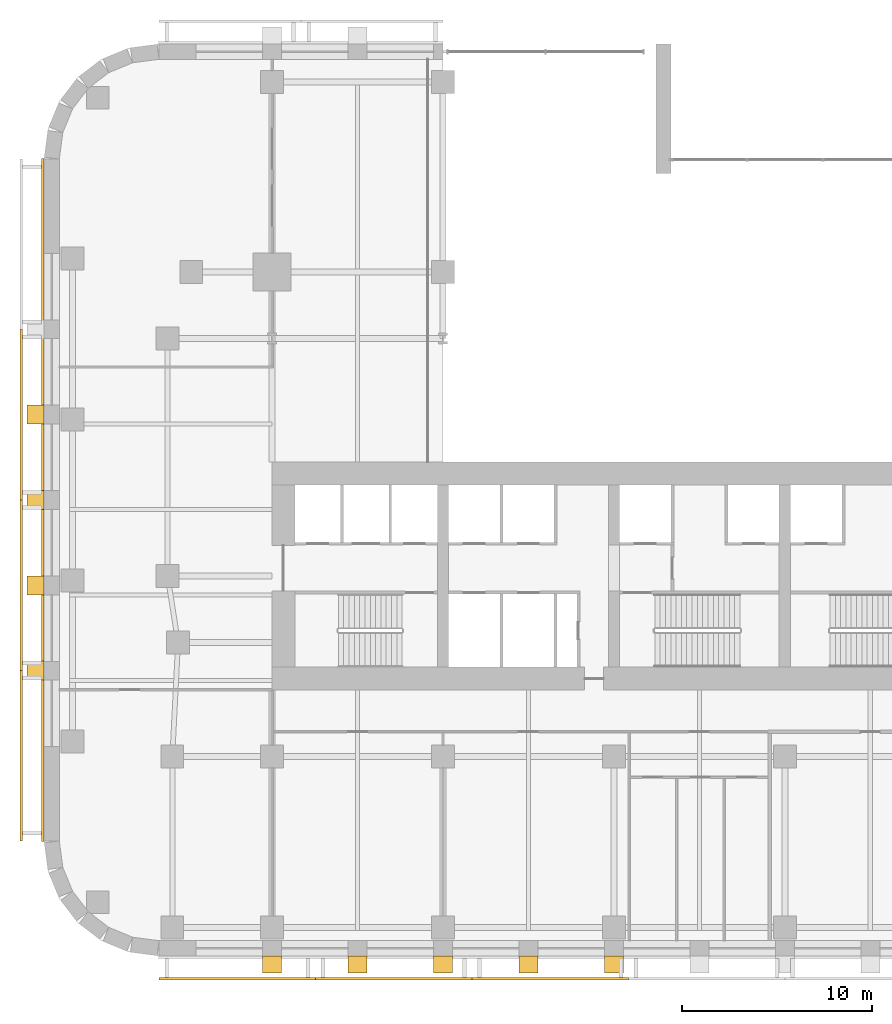
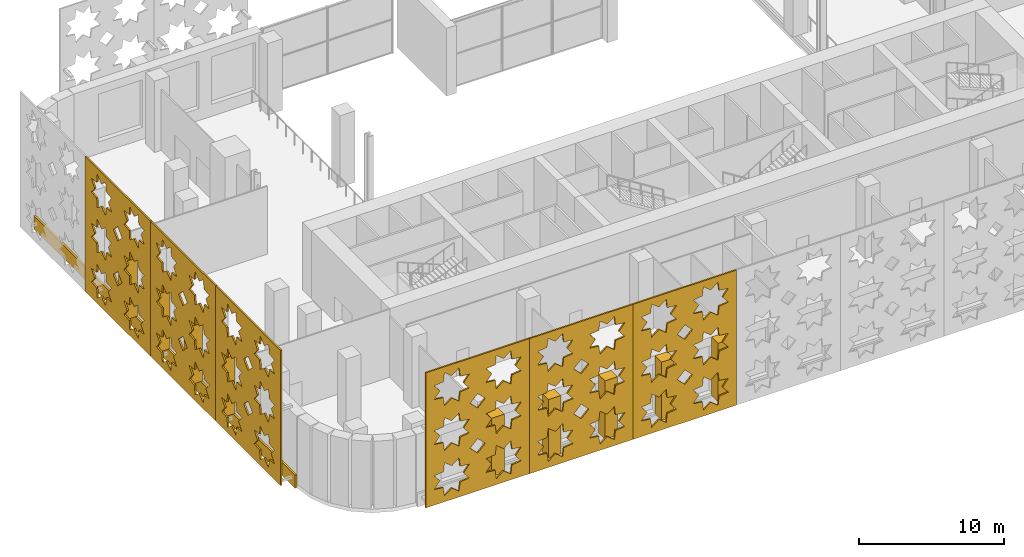
# One storey, part 11 of 17: 16 coverings.
"""IFC4 building model written with IfcOpenShell, lengths in metres."""

from ifc_helpers import new_model, si_unit, direction, frame, origin, place, context, subcontext, project, spatial, polyline, outline, extrude, material, layer, layer_set, type_object, element, save


model = new_model("IFC4")

# Units and contexts
model_context = context("Model", 3, precision=1e-05, world=origin(), true_north=direction((0.0, 1.0)))
body_context = subcontext(model_context, "Body", "Model", "MODEL_VIEW")
ifc_project = project(units=[si_unit("LENGTHUNIT", "METRE"), si_unit("AREAUNIT", "SQUARE_METRE"), si_unit("VOLUMEUNIT", "CUBIC_METRE"), si_unit("PLANEANGLEUNIT", "RADIAN"), si_unit("MASSUNIT", "GRAM", prefix="KILO")], contexts=[model_context])

# Site, building, storey
site_placement = place(None, origin())
site = spatial("IfcSite", under=ifc_project, at=site_placement, CompositionType="ELEMENT")
building_placement = place(site_placement, origin())
building = spatial("IfcBuilding", under=site, at=building_placement, Name="Zellij Exchange Tower", CompositionType="ELEMENT")
storey_placement = place(building_placement, frame((0.0, 0.0, 9.0)))
storey = spatial("IfcBuildingStorey", under=building, at=storey_placement, Name="L01", CompositionType="ELEMENT", Elevation=9.0)

# Coverings
ifc_material_1 = material(Name="Limestone cladding", Category="masonry")
ifc_layer_1 = layer(ifc_material_1, 0.14990234375)
ifc_layer_set_1 = layer_set([ifc_layer_1], Name="Limestone cladding")
covering_type_1 = type_object("IfcCoveringType", Name="ENV-CV1 Stone spandrel band 150", PredefinedType="CLADDING", material=ifc_layer_set_1)
covering_1_placement = place(storey_placement, frame((0.0, 0.0, -0.300048828125)))
element("IfcCovering", 1, at=covering_1_placement, inside=storey, type_object=covering_type_1, Name="Stone spandrel band", PredefinedType="CLADDING", context=body_context, shape_type="SweptSolid", body=[
    extrude(outline(polyline([(-39.0, 13.973876953125), (-39.0, -21.973876953125), (-39.14990234375, -21.983642578125), (-39.14990234375, 13.983642578125), (-39.0, 13.973876953125)])), origin(), (0.0, 0.0, 1.0), 1.10009765625),
])
covering_type_2 = type_object("IfcCoveringType", Name="ENV-CV2 Stone pier 1000x900", PredefinedType="CLADDING", material=ifc_material_1)
covering_2_placement = place(storey_placement, frame((0.0, 0.0, 0.800048828125)))
element("IfcCovering", 2, at=covering_2_placement, inside=storey, type_object=covering_type_2, Name="Stone pier", PredefinedType="CLADDING", context=body_context, shape_type="SweptSolid", body=[
    extrude(outline(polyline([(-27.5, -28.0), (-26.5, -28.0), (-26.5, -28.89990234375), (-27.5, -28.89990234375), (-27.5, -28.0)])), origin(), (0.0, 0.0, 1.0), 4.89990234375),
])
covering_3_placement = place(storey_placement, frame((0.0, 0.0, 0.800048828125)))
element("IfcCovering", 3, at=covering_3_placement, inside=storey, type_object=covering_type_2, Name="Stone pier", PredefinedType="CLADDING", context=body_context, shape_type="SweptSolid", body=[
    extrude(outline(polyline([(-23.0, -28.0), (-22.0, -28.0), (-22.0, -28.89990234375), (-23.0, -28.89990234375), (-23.0, -28.0)])), origin(), (0.0, 0.0, 1.0), 4.89990234375),
])
covering_4_placement = place(storey_placement, frame((0.0, 0.0, 0.800048828125)))
element("IfcCovering", 4, at=covering_4_placement, inside=storey, type_object=covering_type_2, Name="Stone pier", PredefinedType="CLADDING", context=body_context, shape_type="SweptSolid", body=[
    extrude(outline(polyline([(-18.5, -28.0), (-17.5, -28.0), (-17.5, -28.89990234375), (-18.5, -28.89990234375), (-18.5, -28.0)])), origin(), (0.0, 0.0, 1.0), 4.89990234375),
])
covering_5_placement = place(storey_placement, frame((0.0, 0.0, 0.800048828125)))
element("IfcCovering", 5, at=covering_5_placement, inside=storey, type_object=covering_type_2, Name="Stone pier", PredefinedType="CLADDING", context=body_context, shape_type="SweptSolid", body=[
    extrude(outline(polyline([(-14.0, -28.0), (-13.0, -28.0), (-13.0, -28.89990234375), (-14.0, -28.89990234375), (-14.0, -28.0)])), origin(), (0.0, 0.0, 1.0), 4.89990234375),
])
covering_6_placement = place(storey_placement, frame((0.0, 0.0, 0.800048828125)))
element("IfcCovering", 6, at=covering_6_placement, inside=storey, type_object=covering_type_2, Name="Stone pier", PredefinedType="CLADDING", context=body_context, shape_type="SweptSolid", body=[
    extrude(outline(polyline([(-9.5, -28.0), (-8.5, -28.0), (-8.5, -28.89990234375), (-9.5, -28.89990234375), (-9.5, -28.0)])), origin(), (0.0, 0.0, 1.0), 4.89990234375),
])
covering_7_placement = place(storey_placement, frame((0.0, 0.0, 0.800048828125)))
element("IfcCovering", 7, at=covering_7_placement, inside=storey, type_object=covering_type_2, Name="Stone pier", PredefinedType="CLADDING", context=body_context, shape_type="SweptSolid", body=[
    extrude(outline(polyline([(-39.0, 0.993408203125), (-39.0, -0.006591796875), (-39.89990234375, -0.006591796875), (-39.89990234375, 0.993408203125), (-39.0, 0.993408203125)])), origin(), (0.0, 0.0, 1.0), 4.89990234375),
])
covering_8_placement = place(storey_placement, frame((0.0, 0.0, 0.800048828125)))
element("IfcCovering", 8, at=covering_8_placement, inside=storey, type_object=covering_type_2, Name="Stone pier", PredefinedType="CLADDING", context=body_context, shape_type="SweptSolid", body=[
    extrude(outline(polyline([(-39.0, -3.5), (-39.0, -4.5), (-39.89990234375, -4.5), (-39.89990234375, -3.5), (-39.0, -3.5)])), origin(), (0.0, 0.0, 1.0), 4.89990234375),
])
covering_9_placement = place(storey_placement, frame((0.0, 0.0, 0.800048828125)))
element("IfcCovering", 9, at=covering_9_placement, inside=storey, type_object=covering_type_2, Name="Stone pier", PredefinedType="CLADDING", context=body_context, shape_type="SweptSolid", body=[
    extrude(outline(polyline([(-39.0, -7.993408203125), (-39.0, -8.993408203125), (-39.89990234375, -8.993408203125), (-39.89990234375, -7.993408203125), (-39.0, -7.993408203125)])), origin(), (0.0, 0.0, 1.0), 4.89990234375),
])
covering_10_placement = place(storey_placement, frame((0.0, 0.0, 0.800048828125)))
element("IfcCovering", 10, at=covering_10_placement, inside=storey, type_object=covering_type_2, Name="Stone pier", PredefinedType="CLADDING", context=body_context, shape_type="SweptSolid", body=[
    extrude(outline(polyline([(-39.0, -12.48681640625), (-39.0, -13.48681640625), (-39.89990234375, -13.48681640625), (-39.89990234375, -12.48681640625), (-39.0, -12.48681640625)])), origin(), (0.0, 0.0, 1.0), 4.89990234375),
])
ifc_material_2 = material(Name="Limestone screen", Category="masonry")
ifc_layer_2 = layer(ifc_material_2, 0.1201171875)
ifc_layer_set_2 = layer_set([ifc_layer_2], Name="Limestone screen")
covering_type_3 = type_object("IfcCoveringType", Name="ENV-SC1 Pierced stone screen 120", PredefinedType="USERDEFINED", material=ifc_layer_set_2)
covering_11_placement = place(storey_placement, frame((-40.2099609375, 4.973876953125, 0.300048828125), z_axis=(0.0, 0.0, 1.0), x_axis=(0.0, -1.0, 0.0)))
element("IfcCovering", 11, at=covering_11_placement, inside=storey, type_object=covering_type_3, Name="Pierced stone screen", ObjectType="SCREEN", PredefinedType="USERDEFINED", context=body_context, shape_type="SweptSolid", body=[
    extrude(outline(polyline([(0.0, 0.0), (8.973876953125, 0.0), (8.973876953125, 11.35009765625), (0.0, 11.35009765625), (0.0, 0.0)]), holes=[polyline([(3.6416015625, 2.470703125), (2.906982421875, 2.55517578125), (2.822509765625, 3.289794921875), (2.243408203125, 2.829833984375), (1.664306640625, 3.289794921875), (1.580078125, 2.55517578125), (0.84521484375, 2.470703125), (1.30517578125, 1.8916015625), (0.84521484375, 1.3125), (1.580078125, 1.228271484375), (1.664306640625, 0.493408203125), (2.243408203125, 0.953369140625), (2.822509765625, 0.493408203125), (2.906982421875, 1.228271484375), (3.6416015625, 1.3125), (3.181640625, 1.8916015625), (3.6416015625, 2.470703125)]), polyline([(3.6416015625, 6.254150390625), (2.906982421875, 6.33837890625), (2.822509765625, 7.072998046875), (2.243408203125, 6.61328125), (1.664306640625, 7.072998046875), (1.580078125, 6.33837890625), (0.84521484375, 6.254150390625), (1.30517578125, 5.675048828125), (0.84521484375, 5.095947265625), (1.580078125, 5.011474609375), (1.664306640625, 4.27685546875), (2.243408203125, 4.73681640625), (2.822509765625, 4.27685546875), (2.906982421875, 5.011474609375), (3.6416015625, 5.095947265625), (3.181640625, 5.675048828125), (3.6416015625, 6.254150390625)]), polyline([(3.6416015625, 10.03759765625), (2.906982421875, 10.121826171875), (2.822509765625, 10.8564453125), (2.243408203125, 10.396484375), (1.664306640625, 10.8564453125), (1.580078125, 10.121826171875), (0.84521484375, 10.03759765625), (1.30517578125, 9.458251953125), (0.84521484375, 8.879150390625), (1.580078125, 8.794921875), (1.664306640625, 8.060302734375), (2.243408203125, 8.52001953125), (2.822509765625, 8.060302734375), (2.906982421875, 8.794921875), (3.6416015625, 8.879150390625), (3.181640625, 9.458251953125), (3.6416015625, 10.03759765625)]), polyline([(8.12841796875, 2.470703125), (7.393798828125, 2.55517578125), (7.3095703125, 3.289794921875), (6.730224609375, 2.829833984375), (6.151123046875, 3.289794921875), (6.06689453125, 2.55517578125), (5.332275390625, 2.470703125), (5.7919921875, 1.8916015625), (5.332275390625, 1.3125), (6.06689453125, 1.228271484375), (6.151123046875, 0.493408203125), (6.730224609375, 0.953369140625), (7.3095703125, 0.493408203125), (7.393798828125, 1.228271484375), (8.12841796875, 1.3125), (7.668701171875, 1.8916015625), (8.12841796875, 2.470703125)]), polyline([(8.12841796875, 6.254150390625), (7.393798828125, 6.33837890625), (7.3095703125, 7.072998046875), (6.730224609375, 6.61328125), (6.151123046875, 7.072998046875), (6.06689453125, 6.33837890625), (5.332275390625, 6.254150390625), (5.7919921875, 5.675048828125), (5.332275390625, 5.095947265625), (6.06689453125, 5.011474609375), (6.151123046875, 4.27685546875), (6.730224609375, 4.73681640625), (7.3095703125, 4.27685546875), (7.393798828125, 5.011474609375), (8.12841796875, 5.095947265625), (7.668701171875, 5.675048828125), (8.12841796875, 6.254150390625)]), polyline([(8.12841796875, 10.03759765625), (7.393798828125, 10.121826171875), (7.3095703125, 10.8564453125), (6.730224609375, 10.396484375), (6.151123046875, 10.8564453125), (6.06689453125, 10.121826171875), (5.332275390625, 10.03759765625), (5.7919921875, 9.458251953125), (5.332275390625, 8.879150390625), (6.06689453125, 8.794921875), (6.151123046875, 8.060302734375), (6.730224609375, 8.52001953125), (7.3095703125, 8.060302734375), (7.393798828125, 8.794921875), (8.12841796875, 8.879150390625), (7.668701171875, 9.458251953125), (8.12841796875, 10.03759765625)]), polyline([(5.09228515625, 3.783203125), (4.48681640625, 4.388671875), (3.881591796875, 3.783203125), (4.48681640625, 3.177978515625), (5.09228515625, 3.783203125)]), polyline([(5.09228515625, 7.566650390625), (4.48681640625, 8.172119140625), (3.881591796875, 7.566650390625), (4.48681640625, 6.961181640625), (5.09228515625, 7.566650390625)])]), frame((0.0, 0.06005859375, 0.0), z_axis=(0.0, -1.0, 0.0), x_axis=(1.0, 0.0, 0.0)), (0.0, 0.0, 1.0), 0.1201171875),
])
covering_12_placement = place(storey_placement, frame((-40.2099609375, -4.0, 0.300048828125), z_axis=(0.0, 0.0, 1.0), x_axis=(0.0, -1.0, 0.0)))
element("IfcCovering", 12, at=covering_12_placement, inside=storey, type_object=covering_type_3, Name="Pierced stone screen", ObjectType="SCREEN", PredefinedType="USERDEFINED", context=body_context, shape_type="SweptSolid", body=[
    extrude(outline(polyline([(0.0, 0.0), (8.973876953125, 0.0), (8.973876953125, 11.35009765625), (0.0, 11.35009765625), (0.0, 0.0)]), holes=[polyline([(3.6416015625, 2.470703125), (2.906982421875, 2.55517578125), (2.822509765625, 3.289794921875), (2.243408203125, 2.829833984375), (1.664306640625, 3.289794921875), (1.580078125, 2.55517578125), (0.84521484375, 2.470703125), (1.30517578125, 1.8916015625), (0.84521484375, 1.3125), (1.580078125, 1.228271484375), (1.664306640625, 0.493408203125), (2.243408203125, 0.953369140625), (2.822509765625, 0.493408203125), (2.906982421875, 1.228271484375), (3.6416015625, 1.3125), (3.181640625, 1.8916015625), (3.6416015625, 2.470703125)]), polyline([(3.6416015625, 6.254150390625), (2.906982421875, 6.33837890625), (2.822509765625, 7.072998046875), (2.243408203125, 6.61328125), (1.664306640625, 7.072998046875), (1.580078125, 6.33837890625), (0.84521484375, 6.254150390625), (1.30517578125, 5.675048828125), (0.84521484375, 5.095947265625), (1.580078125, 5.011474609375), (1.664306640625, 4.27685546875), (2.243408203125, 4.73681640625), (2.822509765625, 4.27685546875), (2.906982421875, 5.011474609375), (3.6416015625, 5.095947265625), (3.181640625, 5.675048828125), (3.6416015625, 6.254150390625)]), polyline([(3.6416015625, 10.03759765625), (2.906982421875, 10.121826171875), (2.822509765625, 10.8564453125), (2.243408203125, 10.396484375), (1.664306640625, 10.8564453125), (1.580078125, 10.121826171875), (0.84521484375, 10.03759765625), (1.30517578125, 9.458251953125), (0.84521484375, 8.879150390625), (1.580078125, 8.794921875), (1.664306640625, 8.060302734375), (2.243408203125, 8.52001953125), (2.822509765625, 8.060302734375), (2.906982421875, 8.794921875), (3.6416015625, 8.879150390625), (3.181640625, 9.458251953125), (3.6416015625, 10.03759765625)]), polyline([(8.12841796875, 2.470703125), (7.393798828125, 2.55517578125), (7.3095703125, 3.289794921875), (6.730224609375, 2.829833984375), (6.151123046875, 3.289794921875), (6.06689453125, 2.55517578125), (5.332275390625, 2.470703125), (5.7919921875, 1.8916015625), (5.332275390625, 1.3125), (6.06689453125, 1.228271484375), (6.151123046875, 0.493408203125), (6.730224609375, 0.953369140625), (7.3095703125, 0.493408203125), (7.393798828125, 1.228271484375), (8.12841796875, 1.3125), (7.668701171875, 1.8916015625), (8.12841796875, 2.470703125)]), polyline([(8.12841796875, 6.254150390625), (7.393798828125, 6.33837890625), (7.3095703125, 7.072998046875), (6.730224609375, 6.61328125), (6.151123046875, 7.072998046875), (6.06689453125, 6.33837890625), (5.332275390625, 6.254150390625), (5.7919921875, 5.675048828125), (5.332275390625, 5.095947265625), (6.06689453125, 5.011474609375), (6.151123046875, 4.27685546875), (6.730224609375, 4.73681640625), (7.3095703125, 4.27685546875), (7.393798828125, 5.011474609375), (8.12841796875, 5.095947265625), (7.668701171875, 5.675048828125), (8.12841796875, 6.254150390625)]), polyline([(8.12841796875, 10.03759765625), (7.393798828125, 10.121826171875), (7.3095703125, 10.8564453125), (6.730224609375, 10.396484375), (6.151123046875, 10.8564453125), (6.06689453125, 10.121826171875), (5.332275390625, 10.03759765625), (5.7919921875, 9.458251953125), (5.332275390625, 8.879150390625), (6.06689453125, 8.794921875), (6.151123046875, 8.060302734375), (6.730224609375, 8.52001953125), (7.3095703125, 8.060302734375), (7.393798828125, 8.794921875), (8.12841796875, 8.879150390625), (7.668701171875, 9.458251953125), (8.12841796875, 10.03759765625)]), polyline([(5.09228515625, 3.783203125), (4.48681640625, 4.388671875), (3.881591796875, 3.783203125), (4.48681640625, 3.177978515625), (5.09228515625, 3.783203125)]), polyline([(5.09228515625, 7.566650390625), (4.48681640625, 8.172119140625), (3.881591796875, 7.566650390625), (4.48681640625, 6.961181640625), (5.09228515625, 7.566650390625)])]), frame((0.0, 0.06005859375, 0.0), z_axis=(0.0, -1.0, 0.0), x_axis=(1.0, 0.0, 0.0)), (0.0, 0.0, 1.0), 0.1201171875),
])
covering_13_placement = place(storey_placement, frame((-40.2099609375, -12.973876953125, 0.300048828125), z_axis=(0.0, 0.0, 1.0), x_axis=(0.0, -1.0, 0.0)))
element("IfcCovering", 13, at=covering_13_placement, inside=storey, type_object=covering_type_3, Name="Pierced stone screen", ObjectType="SCREEN", PredefinedType="USERDEFINED", context=body_context, shape_type="SweptSolid", body=[
    extrude(outline(polyline([(0.0, 0.0), (8.973876953125, 0.0), (8.973876953125, 11.35009765625), (0.0, 11.35009765625), (0.0, 0.0)]), holes=[polyline([(3.6416015625, 2.470703125), (2.906982421875, 2.55517578125), (2.822509765625, 3.289794921875), (2.243408203125, 2.829833984375), (1.664306640625, 3.289794921875), (1.580078125, 2.55517578125), (0.84521484375, 2.470703125), (1.30517578125, 1.8916015625), (0.84521484375, 1.3125), (1.580078125, 1.228271484375), (1.664306640625, 0.493408203125), (2.243408203125, 0.953369140625), (2.822509765625, 0.493408203125), (2.906982421875, 1.228271484375), (3.6416015625, 1.3125), (3.181640625, 1.8916015625), (3.6416015625, 2.470703125)]), polyline([(3.6416015625, 6.254150390625), (2.906982421875, 6.33837890625), (2.822509765625, 7.072998046875), (2.243408203125, 6.61328125), (1.664306640625, 7.072998046875), (1.580078125, 6.33837890625), (0.84521484375, 6.254150390625), (1.30517578125, 5.675048828125), (0.84521484375, 5.095947265625), (1.580078125, 5.011474609375), (1.664306640625, 4.27685546875), (2.243408203125, 4.73681640625), (2.822509765625, 4.27685546875), (2.906982421875, 5.011474609375), (3.6416015625, 5.095947265625), (3.181640625, 5.675048828125), (3.6416015625, 6.254150390625)]), polyline([(3.6416015625, 10.03759765625), (2.906982421875, 10.121826171875), (2.822509765625, 10.8564453125), (2.243408203125, 10.396484375), (1.664306640625, 10.8564453125), (1.580078125, 10.121826171875), (0.84521484375, 10.03759765625), (1.30517578125, 9.458251953125), (0.84521484375, 8.879150390625), (1.580078125, 8.794921875), (1.664306640625, 8.060302734375), (2.243408203125, 8.52001953125), (2.822509765625, 8.060302734375), (2.906982421875, 8.794921875), (3.6416015625, 8.879150390625), (3.181640625, 9.458251953125), (3.6416015625, 10.03759765625)]), polyline([(8.12841796875, 2.470703125), (7.393798828125, 2.55517578125), (7.3095703125, 3.289794921875), (6.730224609375, 2.829833984375), (6.151123046875, 3.289794921875), (6.06689453125, 2.55517578125), (5.332275390625, 2.470703125), (5.7919921875, 1.8916015625), (5.332275390625, 1.3125), (6.06689453125, 1.228271484375), (6.151123046875, 0.493408203125), (6.730224609375, 0.953369140625), (7.3095703125, 0.493408203125), (7.393798828125, 1.228271484375), (8.12841796875, 1.3125), (7.668701171875, 1.8916015625), (8.12841796875, 2.470703125)]), polyline([(8.12841796875, 6.254150390625), (7.393798828125, 6.33837890625), (7.3095703125, 7.072998046875), (6.730224609375, 6.61328125), (6.151123046875, 7.072998046875), (6.06689453125, 6.33837890625), (5.332275390625, 6.254150390625), (5.7919921875, 5.675048828125), (5.332275390625, 5.095947265625), (6.06689453125, 5.011474609375), (6.151123046875, 4.27685546875), (6.730224609375, 4.73681640625), (7.3095703125, 4.27685546875), (7.393798828125, 5.011474609375), (8.12841796875, 5.095947265625), (7.668701171875, 5.675048828125), (8.12841796875, 6.254150390625)]), polyline([(8.12841796875, 10.03759765625), (7.393798828125, 10.121826171875), (7.3095703125, 10.8564453125), (6.730224609375, 10.396484375), (6.151123046875, 10.8564453125), (6.06689453125, 10.121826171875), (5.332275390625, 10.03759765625), (5.7919921875, 9.458251953125), (5.332275390625, 8.879150390625), (6.06689453125, 8.794921875), (6.151123046875, 8.060302734375), (6.730224609375, 8.52001953125), (7.3095703125, 8.060302734375), (7.393798828125, 8.794921875), (8.12841796875, 8.879150390625), (7.668701171875, 9.458251953125), (8.12841796875, 10.03759765625)]), polyline([(5.09228515625, 3.783203125), (4.48681640625, 4.388671875), (3.881591796875, 3.783203125), (4.48681640625, 3.177978515625), (5.09228515625, 3.783203125)]), polyline([(5.09228515625, 7.566650390625), (4.48681640625, 8.172119140625), (3.881591796875, 7.566650390625), (4.48681640625, 6.961181640625), (5.09228515625, 7.566650390625)])]), frame((0.0, 0.06005859375, 0.0), z_axis=(0.0, -1.0, 0.0), x_axis=(1.0, 0.0, 0.0)), (0.0, 0.0, 1.0), 0.1201171875),
])
covering_14_placement = place(storey_placement, frame((-32.947509765625, -29.2099609375, 0.300048828125), z_axis=(0.0, 0.0, 1.0), x_axis=(1.0, 0.0, 0.0)))
element("IfcCovering", 14, at=covering_14_placement, inside=storey, type_object=covering_type_3, Name="Pierced stone screen", ObjectType="SCREEN", PredefinedType="USERDEFINED", context=body_context, shape_type="SweptSolid", body=[
    extrude(outline(polyline([(0.0, 0.0), (8.23681640625, 0.0), (8.23681640625, 11.35009765625), (0.0, 11.35009765625), (0.0, 0.0)]), holes=[polyline([(3.45751953125, 2.470703125), (2.72265625, 2.55517578125), (2.638427734375, 3.289794921875), (2.05908203125, 2.829833984375), (1.47998046875, 3.289794921875), (1.395751953125, 2.55517578125), (0.6611328125, 2.470703125), (1.12109375, 1.8916015625), (0.6611328125, 1.3125), (1.395751953125, 1.228271484375), (1.47998046875, 0.493408203125), (2.05908203125, 0.953369140625), (2.638427734375, 0.493408203125), (2.72265625, 1.228271484375), (3.45751953125, 1.3125), (2.99755859375, 1.8916015625), (3.45751953125, 2.470703125)]), polyline([(3.45751953125, 6.254150390625), (2.72265625, 6.33837890625), (2.638427734375, 7.072998046875), (2.05908203125, 6.61328125), (1.47998046875, 7.072998046875), (1.395751953125, 6.33837890625), (0.6611328125, 6.254150390625), (1.12109375, 5.675048828125), (0.6611328125, 5.095947265625), (1.395751953125, 5.011474609375), (1.47998046875, 4.27685546875), (2.05908203125, 4.73681640625), (2.638427734375, 4.27685546875), (2.72265625, 5.011474609375), (3.45751953125, 5.095947265625), (2.99755859375, 5.675048828125), (3.45751953125, 6.254150390625)]), polyline([(3.45751953125, 10.03759765625), (2.72265625, 10.121826171875), (2.638427734375, 10.8564453125), (2.05908203125, 10.396484375), (1.47998046875, 10.8564453125), (1.395751953125, 10.121826171875), (0.6611328125, 10.03759765625), (1.12109375, 9.458251953125), (0.6611328125, 8.879150390625), (1.395751953125, 8.794921875), (1.47998046875, 8.060302734375), (2.05908203125, 8.52001953125), (2.638427734375, 8.060302734375), (2.72265625, 8.794921875), (3.45751953125, 8.879150390625), (2.99755859375, 9.458251953125), (3.45751953125, 10.03759765625)]), polyline([(7.57568359375, 2.470703125), (6.841064453125, 2.55517578125), (6.7568359375, 3.289794921875), (6.177734375, 2.829833984375), (5.598388671875, 3.289794921875), (5.51416015625, 2.55517578125), (4.779541015625, 2.470703125), (5.239501953125, 1.8916015625), (4.779541015625, 1.3125), (5.51416015625, 1.228271484375), (5.598388671875, 0.493408203125), (6.177734375, 0.953369140625), (6.7568359375, 0.493408203125), (6.841064453125, 1.228271484375), (7.57568359375, 1.3125), (7.115966796875, 1.8916015625), (7.57568359375, 2.470703125)]), polyline([(7.57568359375, 6.254150390625), (6.841064453125, 6.33837890625), (6.7568359375, 7.072998046875), (6.177734375, 6.61328125), (5.598388671875, 7.072998046875), (5.51416015625, 6.33837890625), (4.779541015625, 6.254150390625), (5.239501953125, 5.675048828125), (4.779541015625, 5.095947265625), (5.51416015625, 5.011474609375), (5.598388671875, 4.27685546875), (6.177734375, 4.73681640625), (6.7568359375, 4.27685546875), (6.841064453125, 5.011474609375), (7.57568359375, 5.095947265625), (7.115966796875, 5.675048828125), (7.57568359375, 6.254150390625)]), polyline([(7.57568359375, 10.03759765625), (6.841064453125, 10.121826171875), (6.7568359375, 10.8564453125), (6.177734375, 10.396484375), (5.598388671875, 10.8564453125), (5.51416015625, 10.121826171875), (4.779541015625, 10.03759765625), (5.239501953125, 9.458251953125), (4.779541015625, 8.879150390625), (5.51416015625, 8.794921875), (5.598388671875, 8.060302734375), (6.177734375, 8.52001953125), (6.7568359375, 8.060302734375), (6.841064453125, 8.794921875), (7.57568359375, 8.879150390625), (7.115966796875, 9.458251953125), (7.57568359375, 10.03759765625)]), polyline([(4.723876953125, 3.783203125), (4.118408203125, 4.388671875), (3.51318359375, 3.783203125), (4.118408203125, 3.177978515625), (4.723876953125, 3.783203125)]), polyline([(4.723876953125, 7.566650390625), (4.118408203125, 8.172119140625), (3.51318359375, 7.566650390625), (4.118408203125, 6.961181640625), (4.723876953125, 7.566650390625)])]), frame((0.0, 0.06005859375, 0.0), z_axis=(0.0, -1.0, 0.0), x_axis=(1.0, 0.0, 0.0)), (0.0, 0.0, 1.0), 0.1201171875),
])
covering_15_placement = place(storey_placement, frame((-24.710693359375, -29.2099609375, 0.300048828125), z_axis=(0.0, 0.0, 1.0), x_axis=(1.0, 0.0, 0.0)))
element("IfcCovering", 15, at=covering_15_placement, inside=storey, type_object=covering_type_3, Name="Pierced stone screen", ObjectType="SCREEN", PredefinedType="USERDEFINED", context=body_context, shape_type="SweptSolid", body=[
    extrude(outline(polyline([(0.0, 0.0), (8.23681640625, 0.0), (8.23681640625, 11.35009765625), (0.0, 11.35009765625), (0.0, 0.0)]), holes=[polyline([(3.45751953125, 2.470703125), (2.72265625, 2.55517578125), (2.638427734375, 3.289794921875), (2.05908203125, 2.829833984375), (1.47998046875, 3.289794921875), (1.395751953125, 2.55517578125), (0.6611328125, 2.470703125), (1.12109375, 1.8916015625), (0.6611328125, 1.3125), (1.395751953125, 1.228271484375), (1.47998046875, 0.493408203125), (2.05908203125, 0.953369140625), (2.638427734375, 0.493408203125), (2.72265625, 1.228271484375), (3.45751953125, 1.3125), (2.99755859375, 1.8916015625), (3.45751953125, 2.470703125)]), polyline([(3.45751953125, 6.254150390625), (2.72265625, 6.33837890625), (2.638427734375, 7.072998046875), (2.05908203125, 6.61328125), (1.47998046875, 7.072998046875), (1.395751953125, 6.33837890625), (0.6611328125, 6.254150390625), (1.12109375, 5.675048828125), (0.6611328125, 5.095947265625), (1.395751953125, 5.011474609375), (1.47998046875, 4.27685546875), (2.05908203125, 4.73681640625), (2.638427734375, 4.27685546875), (2.72265625, 5.011474609375), (3.45751953125, 5.095947265625), (2.99755859375, 5.675048828125), (3.45751953125, 6.254150390625)]), polyline([(3.45751953125, 10.03759765625), (2.72265625, 10.121826171875), (2.638427734375, 10.8564453125), (2.05908203125, 10.396484375), (1.47998046875, 10.8564453125), (1.395751953125, 10.121826171875), (0.6611328125, 10.03759765625), (1.12109375, 9.458251953125), (0.6611328125, 8.879150390625), (1.395751953125, 8.794921875), (1.47998046875, 8.060302734375), (2.05908203125, 8.52001953125), (2.638427734375, 8.060302734375), (2.72265625, 8.794921875), (3.45751953125, 8.879150390625), (2.99755859375, 9.458251953125), (3.45751953125, 10.03759765625)]), polyline([(7.57568359375, 2.470703125), (6.841064453125, 2.55517578125), (6.7568359375, 3.289794921875), (6.177734375, 2.829833984375), (5.598388671875, 3.289794921875), (5.51416015625, 2.55517578125), (4.779541015625, 2.470703125), (5.239501953125, 1.8916015625), (4.779541015625, 1.3125), (5.51416015625, 1.228271484375), (5.598388671875, 0.493408203125), (6.177734375, 0.953369140625), (6.7568359375, 0.493408203125), (6.841064453125, 1.228271484375), (7.57568359375, 1.3125), (7.115966796875, 1.8916015625), (7.57568359375, 2.470703125)]), polyline([(7.57568359375, 6.254150390625), (6.841064453125, 6.33837890625), (6.7568359375, 7.072998046875), (6.177734375, 6.61328125), (5.598388671875, 7.072998046875), (5.51416015625, 6.33837890625), (4.779541015625, 6.254150390625), (5.239501953125, 5.675048828125), (4.779541015625, 5.095947265625), (5.51416015625, 5.011474609375), (5.598388671875, 4.27685546875), (6.177734375, 4.73681640625), (6.7568359375, 4.27685546875), (6.841064453125, 5.011474609375), (7.57568359375, 5.095947265625), (7.115966796875, 5.675048828125), (7.57568359375, 6.254150390625)]), polyline([(7.57568359375, 10.03759765625), (6.841064453125, 10.121826171875), (6.7568359375, 10.8564453125), (6.177734375, 10.396484375), (5.598388671875, 10.8564453125), (5.51416015625, 10.121826171875), (4.779541015625, 10.03759765625), (5.239501953125, 9.458251953125), (4.779541015625, 8.879150390625), (5.51416015625, 8.794921875), (5.598388671875, 8.060302734375), (6.177734375, 8.52001953125), (6.7568359375, 8.060302734375), (6.841064453125, 8.794921875), (7.57568359375, 8.879150390625), (7.115966796875, 9.458251953125), (7.57568359375, 10.03759765625)]), polyline([(4.723876953125, 3.783203125), (4.118408203125, 4.388671875), (3.51318359375, 3.783203125), (4.118408203125, 3.177978515625), (4.723876953125, 3.783203125)]), polyline([(4.723876953125, 7.566650390625), (4.118408203125, 8.172119140625), (3.51318359375, 7.566650390625), (4.118408203125, 6.961181640625), (4.723876953125, 7.566650390625)])]), frame((0.0, 0.06005859375, 0.0), z_axis=(0.0, -1.0, 0.0), x_axis=(1.0, 0.0, 0.0)), (0.0, 0.0, 1.0), 0.1201171875),
])
covering_16_placement = place(storey_placement, frame((-16.473876953125, -29.2099609375, 0.300048828125), z_axis=(0.0, 0.0, 1.0), x_axis=(1.0, 0.0, 0.0)))
element("IfcCovering", 16, at=covering_16_placement, inside=storey, type_object=covering_type_3, Name="Pierced stone screen", ObjectType="SCREEN", PredefinedType="USERDEFINED", context=body_context, shape_type="SweptSolid", body=[
    extrude(outline(polyline([(0.0, 0.0), (8.23681640625, 0.0), (8.23681640625, 11.35009765625), (0.0, 11.35009765625), (0.0, 0.0)]), holes=[polyline([(3.45751953125, 2.470703125), (2.72265625, 2.55517578125), (2.638427734375, 3.289794921875), (2.05908203125, 2.829833984375), (1.47998046875, 3.289794921875), (1.395751953125, 2.55517578125), (0.6611328125, 2.470703125), (1.12109375, 1.8916015625), (0.6611328125, 1.3125), (1.395751953125, 1.228271484375), (1.47998046875, 0.493408203125), (2.05908203125, 0.953369140625), (2.638427734375, 0.493408203125), (2.72265625, 1.228271484375), (3.45751953125, 1.3125), (2.99755859375, 1.8916015625), (3.45751953125, 2.470703125)]), polyline([(3.45751953125, 6.254150390625), (2.72265625, 6.33837890625), (2.638427734375, 7.072998046875), (2.05908203125, 6.61328125), (1.47998046875, 7.072998046875), (1.395751953125, 6.33837890625), (0.6611328125, 6.254150390625), (1.12109375, 5.675048828125), (0.6611328125, 5.095947265625), (1.395751953125, 5.011474609375), (1.47998046875, 4.27685546875), (2.05908203125, 4.73681640625), (2.638427734375, 4.27685546875), (2.72265625, 5.011474609375), (3.45751953125, 5.095947265625), (2.99755859375, 5.675048828125), (3.45751953125, 6.254150390625)]), polyline([(3.45751953125, 10.03759765625), (2.72265625, 10.121826171875), (2.638427734375, 10.8564453125), (2.05908203125, 10.396484375), (1.47998046875, 10.8564453125), (1.395751953125, 10.121826171875), (0.6611328125, 10.03759765625), (1.12109375, 9.458251953125), (0.6611328125, 8.879150390625), (1.395751953125, 8.794921875), (1.47998046875, 8.060302734375), (2.05908203125, 8.52001953125), (2.638427734375, 8.060302734375), (2.72265625, 8.794921875), (3.45751953125, 8.879150390625), (2.99755859375, 9.458251953125), (3.45751953125, 10.03759765625)]), polyline([(7.57568359375, 2.470703125), (6.841064453125, 2.55517578125), (6.7568359375, 3.289794921875), (6.177734375, 2.829833984375), (5.598388671875, 3.289794921875), (5.51416015625, 2.55517578125), (4.779541015625, 2.470703125), (5.239501953125, 1.8916015625), (4.779541015625, 1.3125), (5.51416015625, 1.228271484375), (5.598388671875, 0.493408203125), (6.177734375, 0.953369140625), (6.7568359375, 0.493408203125), (6.841064453125, 1.228271484375), (7.57568359375, 1.3125), (7.115966796875, 1.8916015625), (7.57568359375, 2.470703125)]), polyline([(7.57568359375, 6.254150390625), (6.841064453125, 6.33837890625), (6.7568359375, 7.072998046875), (6.177734375, 6.61328125), (5.598388671875, 7.072998046875), (5.51416015625, 6.33837890625), (4.779541015625, 6.254150390625), (5.239501953125, 5.675048828125), (4.779541015625, 5.095947265625), (5.51416015625, 5.011474609375), (5.598388671875, 4.27685546875), (6.177734375, 4.73681640625), (6.7568359375, 4.27685546875), (6.841064453125, 5.011474609375), (7.57568359375, 5.095947265625), (7.115966796875, 5.675048828125), (7.57568359375, 6.254150390625)]), polyline([(7.57568359375, 10.03759765625), (6.841064453125, 10.121826171875), (6.7568359375, 10.8564453125), (6.177734375, 10.396484375), (5.598388671875, 10.8564453125), (5.51416015625, 10.121826171875), (4.779541015625, 10.03759765625), (5.239501953125, 9.458251953125), (4.779541015625, 8.879150390625), (5.51416015625, 8.794921875), (5.598388671875, 8.060302734375), (6.177734375, 8.52001953125), (6.7568359375, 8.060302734375), (6.841064453125, 8.794921875), (7.57568359375, 8.879150390625), (7.115966796875, 9.458251953125), (7.57568359375, 10.03759765625)]), polyline([(4.723876953125, 3.783203125), (4.118408203125, 4.388671875), (3.51318359375, 3.783203125), (4.118408203125, 3.177978515625), (4.723876953125, 3.783203125)]), polyline([(4.723876953125, 7.566650390625), (4.118408203125, 8.172119140625), (3.51318359375, 7.566650390625), (4.118408203125, 6.961181640625), (4.723876953125, 7.566650390625)])]), frame((0.0, 0.06005859375, 0.0), z_axis=(0.0, -1.0, 0.0), x_axis=(1.0, 0.0, 0.0)), (0.0, 0.0, 1.0), 0.1201171875),
])

save(model, "model.ifc")
